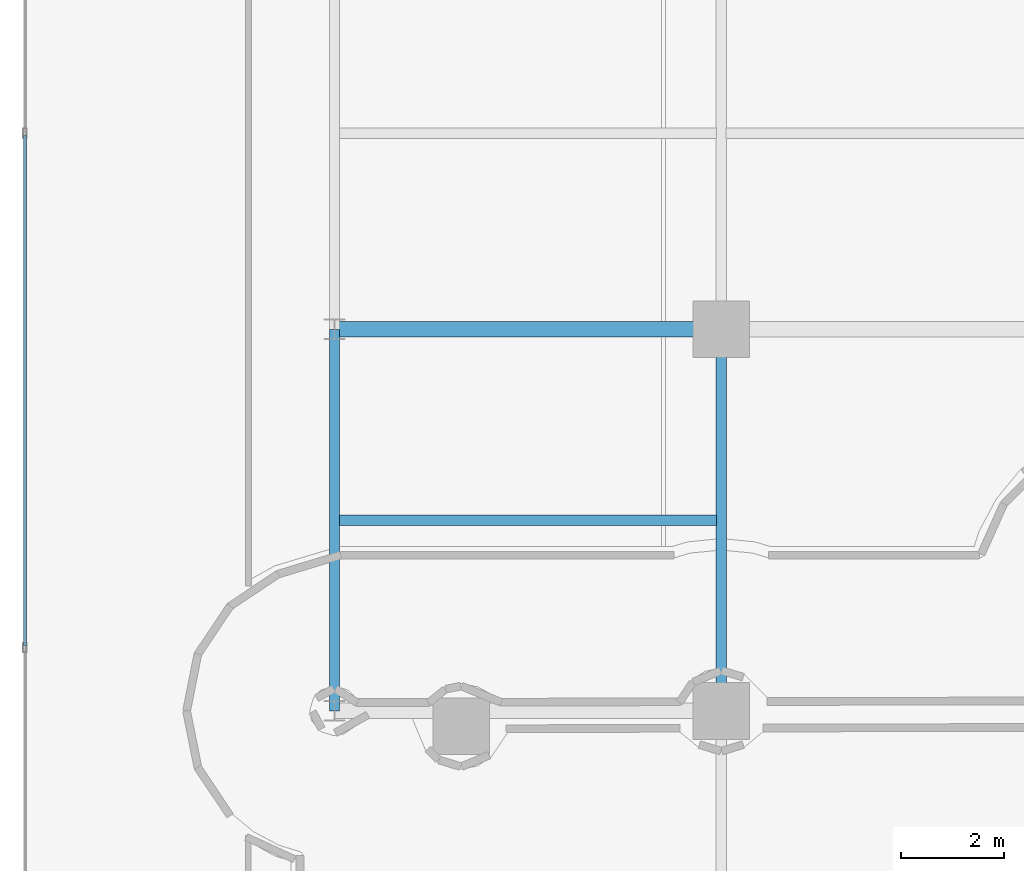
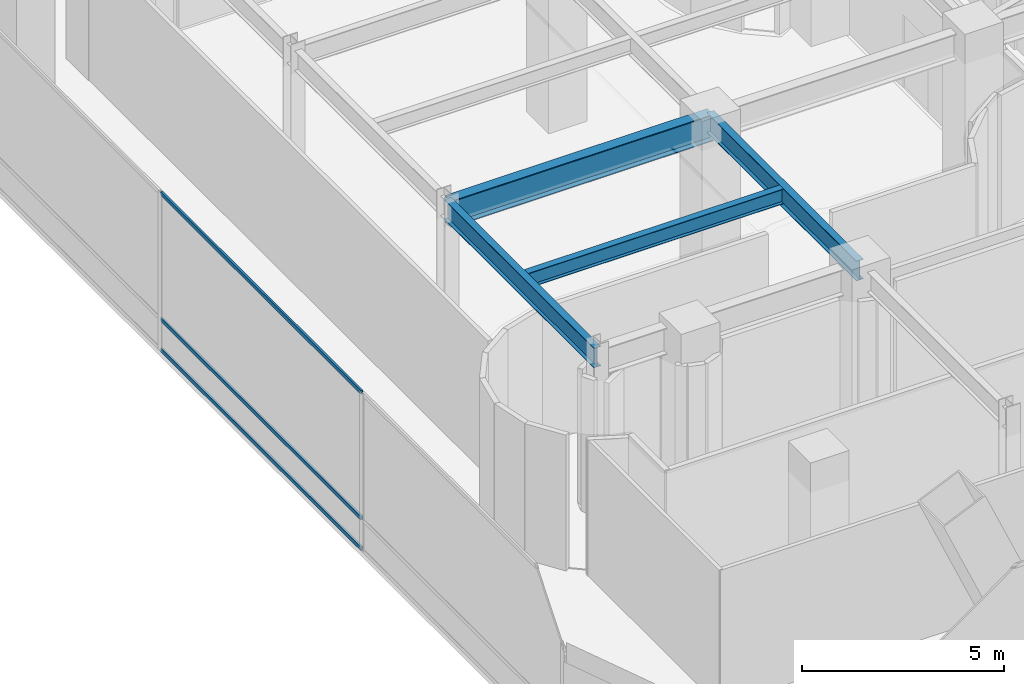
# One storey, part 9 of 42: 4 beams, 3 members, 1 element without a shape of its own.
"""IFC4 building model written with IfcOpenShell, lengths in metres."""

from ifc_helpers import new_model, si_unit, direction, frame, origin, origin_2d, place, context, subcontext, project, spatial, hollow_rectangle, i_section, extrude, material, layer, layer_set, material_profile, profile_set, type_object, element, aggregate, save


model = new_model("IFC4")

# Units and contexts
model_context = context("Model", 3, precision=1e-05, world=origin(), true_north=direction((0.0, 1.0)))
body_context = subcontext(model_context, "Body", "Model", "MODEL_VIEW")
ifc_project = project(units=[si_unit("LENGTHUNIT", "METRE"), si_unit("AREAUNIT", "SQUARE_METRE"), si_unit("VOLUMEUNIT", "CUBIC_METRE"), si_unit("PLANEANGLEUNIT", "RADIAN"), si_unit("MASSUNIT", "GRAM", prefix="KILO")], contexts=[model_context])

# Site, building, storey
site_placement = place(None, origin())
site = spatial("IfcSite", under=ifc_project, at=site_placement, CompositionType="ELEMENT")
building_placement = place(site_placement, origin())
building = spatial("IfcBuilding", under=site, at=building_placement, Name="Qianvela Tower", CompositionType="ELEMENT")
storey_placement = place(building_placement, frame((0.0, 0.0, 6.0)))
storey = spatial("IfcBuildingStorey", under=building, at=storey_placement, Name="L01", CompositionType="ELEMENT", Elevation=6.0)

# Beams
ifc_material_1 = material(Name="Steel Q355B", Category="steel")
ifc_material_profile_1 = material_profile(ifc_material_1, i_section(OverallWidth=0.199951171875, OverallDepth=0.449951171875, WebThickness=0.009033203125, FlangeThickness=0.013916015625, at=origin_2d()), Name="HN450x200x9x14")
ifc_profile_set_1 = profile_set([ifc_material_profile_1], Name="Steel Q355B")
beam_type_1 = type_object("IfcBeamType", Name="BM-HN450-JOIST", PredefinedType="JOIST", material=ifc_profile_set_1)
beam_1_placement = place(storey_placement, frame((7.595947265625, 18.5, 4.552978515625), z_axis=(1.0, 0.0, 0.0), x_axis=(0.0, 1.0, 0.0)))
element("IfcBeam", 1, at=beam_1_placement, inside=storey, type_object=beam_type_1, Name="L01 Secondary Floor Joist 42", PredefinedType="JOIST", context=body_context, shape_type="SweptSolid", body=[
    extrude(i_section(OverallWidth=0.199951171875, OverallDepth=0.449951171875, WebThickness=0.009033203125, FlangeThickness=0.013916015625, at=origin_2d()), origin(), (0.0, 0.0, 1.0), 7.30810546875),
])
ifc_material_2 = material(Name="Steel Q355B", Category="steel")
ifc_material_profile_2 = material_profile(ifc_material_2, i_section(OverallWidth=0.199951171875, OverallDepth=0.60009765625, WebThickness=0.010986328125, FlangeThickness=0.01708984375, at=origin_2d()), Name="HN600x200x11x17")
ifc_profile_set_2 = profile_set([ifc_material_profile_2], Name="Steel Q355B")
beam_type_2 = type_object("IfcBeamType", Name="BM-HN600-GIRD", PredefinedType="BEAM", material=ifc_profile_set_2)
for number, where, z_axis, x_axis, name in (
    (2, (7.5, 14.800048828125, 4.47802734375), (0.0, 1.0, 0.0), (-1.0, 0.0, 0.0), "L01 North-South Grid Girder 16"),
    (3, (15.0, 14.800048828125, 4.47802734375), (0.0, 1.0, 0.0), (-1.0, 0.0, 0.0), "L01 North-South Grid Girder 20"),
):
    element("IfcBeam", number, at=place(storey_placement, frame(where, z_axis=z_axis, x_axis=x_axis)), inside=storey, type_object=beam_type_2, Name=name, PredefinedType="BEAM", context=body_context, shape_type="SweptSolid", body=[
        extrude(i_section(OverallWidth=0.199951171875, OverallDepth=0.60009765625, WebThickness=0.010986328125, FlangeThickness=0.01708984375, at=origin_2d()), origin(), (0.0, 0.0, 1.0), 7.39990234375),
    ])
ifc_material_3 = material(Name="Steel Q355B", Category="steel")
ifc_material_profile_3 = material_profile(ifc_material_3, i_section(OverallWidth=0.300048828125, OverallDepth=0.800048828125, WebThickness=0.013916015625, FlangeThickness=0.02587890625, at=origin_2d()), Name="HN800x300x14x26")
ifc_profile_set_3 = profile_set([ifc_material_profile_3], Name="Steel Q355B")
beam_type_3 = type_object("IfcBeamType", Name="BM-HN800-SPAND", PredefinedType="SPANDREL", material=ifc_profile_set_3)
beam_2_placement = place(storey_placement, frame((7.5, 22.199951171875, 4.3779296875), z_axis=(1.0, 0.0, 0.0), x_axis=(0.0, 1.0, 0.0)))
element("IfcBeam", 4, at=beam_2_placement, inside=storey, type_object=beam_type_3, Name="L01 East-West Grid Girder 3", PredefinedType="SPANDREL", context=body_context, shape_type="SweptSolid", body=[
    extrude(i_section(OverallWidth=0.300048828125, OverallDepth=0.800048828125, WebThickness=0.013916015625, FlangeThickness=0.02587890625, at=origin_2d()), origin(), (0.0, 0.0, 1.0), 7.5),
])

# Curtain wall, members
ifc_material_4 = material(Name="Anodised Architectural Aluminium and Low-E Glass", Category="aluminium")
ifc_layer = layer(ifc_material_4, 0.179931640625)
ifc_layer_set = layer_set([ifc_layer], Name="Anodised Architectural Aluminium and Low-E Glass")
curtain_wall_type = type_object("IfcCurtainWallType", Name="CW-COMMONS", PredefinedType="USERDEFINED", material=ifc_layer_set)
curtain_wall_placement = place(storey_placement, origin())
curtain_wall = element("IfcCurtainWall", 5, at=curtain_wall_placement, inside=storey, type_object=curtain_wall_type, Name="L01 CW-COMMONS Curtain Wall 07", ObjectType="CURTAIN_WALL_SYSTEM", PredefinedType="USERDEFINED")
ifc_material_5 = material(Name="Anodised Architectural Aluminium 6063-T6", Category="aluminium")
ifc_material_profile_4 = material_profile(ifc_material_5, hollow_rectangle(XDim=0.06005859375, YDim=0.114990234375, WallThickness=0.00390625, at=origin_2d()), Name="ALU-TRAN-60x115")
ifc_profile_set_4 = profile_set([ifc_material_profile_4], Name="Anodised Architectural Aluminium 6063-T6")
member_type = type_object("IfcMemberType", Name="CW-COMMONS-TRAN", PredefinedType="USERDEFINED", material=ifc_profile_set_4)
member_1_placement = place(storey_placement, frame((1.5, 25.965087890625, 0.030029296875), z_axis=(0.0, -1.0, 0.0), x_axis=(1.0, 0.0, 0.0)))
member_1 = element("IfcMember", 6, at=member_1_placement, type_object=member_type, Name="CW-2 transom 3.1", ObjectType="TRANSOM", PredefinedType="USERDEFINED", context=body_context, shape_type="SweptSolid", body=[
    extrude(hollow_rectangle(XDim=0.06005859375, YDim=0.114990234375, WallThickness=0.00390625, at=origin_2d()), origin(), (0.0, 0.0, 1.0), 9.905029296875),
])
member_2_placement = place(storey_placement, frame((1.5, 25.965087890625, 0.949951171875), z_axis=(0.0, -1.0, 0.0), x_axis=(1.0, 0.0, 0.0)))
member_2 = element("IfcMember", 7, at=member_2_placement, type_object=member_type, Name="CW-2 transom 3.2", ObjectType="TRANSOM", PredefinedType="USERDEFINED", context=body_context, shape_type="SweptSolid", body=[
    extrude(hollow_rectangle(XDim=0.06005859375, YDim=0.114990234375, WallThickness=0.00390625, at=origin_2d()), origin(), (0.0, 0.0, 1.0), 9.905029296875),
])
member_3_placement = place(storey_placement, frame((1.5, 25.965087890625, 4.75), z_axis=(0.0, -1.0, 0.0), x_axis=(1.0, 0.0, 0.0)))
member_3 = element("IfcMember", 8, at=member_3_placement, type_object=member_type, Name="CW-2 transom 3.3", ObjectType="TRANSOM", PredefinedType="USERDEFINED", context=body_context, shape_type="SweptSolid", body=[
    extrude(hollow_rectangle(XDim=0.06005859375, YDim=0.114990234375, WallThickness=0.00390625, at=origin_2d()), origin(), (0.0, 0.0, 1.0), 9.905029296875),
])
aggregate(curtain_wall, [member_1, member_2, member_3])

save(model, "model.ifc")
